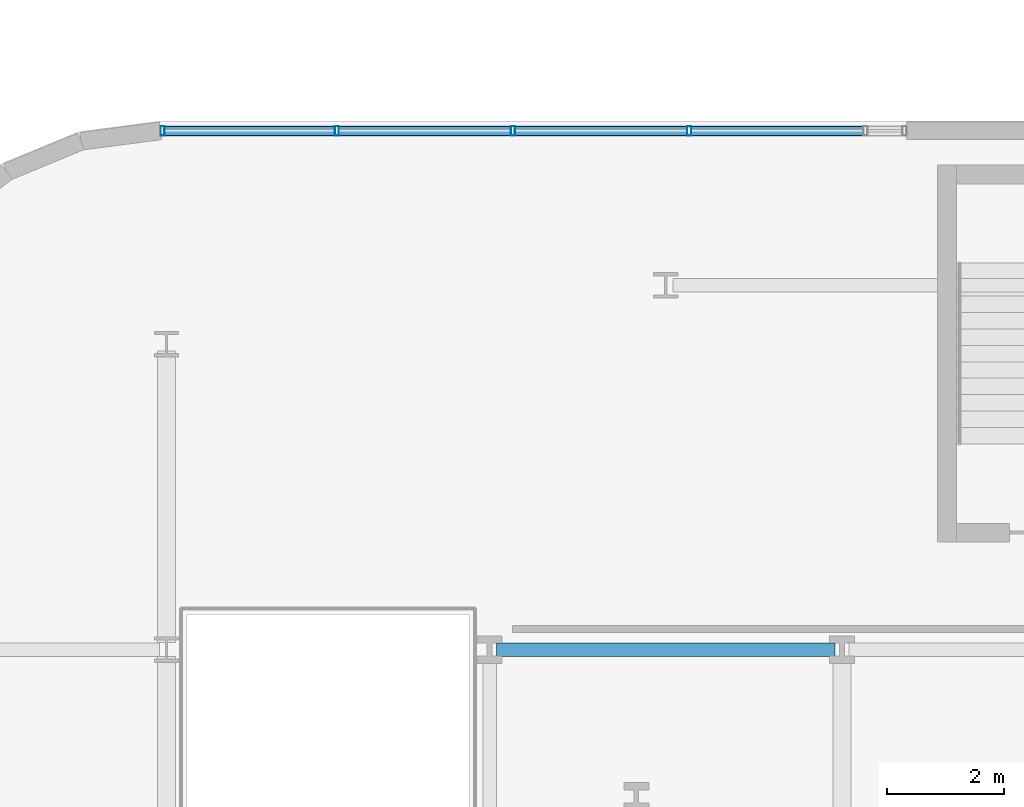
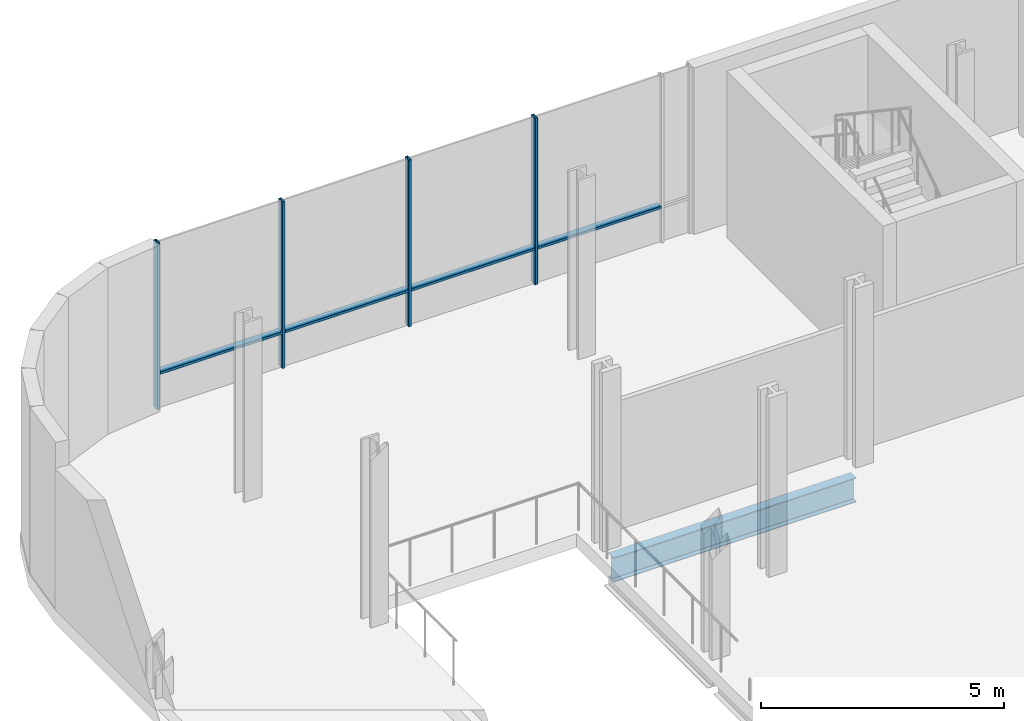
# One storey, part 4 of 28: 8 members, 1 beam, 1 element without a shape of its own.
"""IFC4 building model written with IfcOpenShell, lengths in metres."""

from ifc_helpers import new_model, si_unit, direction, frame, origin, origin_2d, place, context, subcontext, project, spatial, hollow_rectangle, i_section, extrude, material, layer, layer_set, material_profile, profile_set, type_object, element, aggregate, save


model = new_model("IFC4")

# Units and contexts
model_context = context("Model", 3, precision=1e-05, world=origin(), true_north=direction((0.0, 1.0)))
body_context = subcontext(model_context, "Body", "Model", "MODEL_VIEW")
ifc_project = project(units=[si_unit("LENGTHUNIT", "METRE"), si_unit("AREAUNIT", "SQUARE_METRE"), si_unit("VOLUMEUNIT", "CUBIC_METRE"), si_unit("PLANEANGLEUNIT", "RADIAN"), si_unit("MASSUNIT", "GRAM", prefix="KILO")], contexts=[model_context])

# Site, building, storey
site_placement = place(None, origin())
site = spatial("IfcSite", under=ifc_project, at=site_placement, CompositionType="ELEMENT")
building_placement = place(site_placement, origin())
building = spatial("IfcBuilding", under=site, at=building_placement, Name="Brevholm Reach", CompositionType="ELEMENT")
storey_placement = place(building_placement, origin())
storey = spatial("IfcBuildingStorey", under=building, at=storey_placement, Name="L00", CompositionType="ELEMENT", Elevation=0.0)

# Beam
ifc_material_1 = material(Name="Structural Steel S355J2", Category="steel")
ifc_material_profile_1 = material_profile(ifc_material_1, i_section(OverallWidth=0.22900390625, OverallDepth=0.6123046875, WebThickness=0.011962890625, FlangeThickness=0.01953125, FilletRadius=0.0126953125, at=origin_2d()), Name="UKB 610x229x125")
ifc_profile_set_1 = profile_set([ifc_material_profile_1], Name="Structural Steel S355J2")
beam_type = type_object("IfcBeamType", Name="BM-SP610", PredefinedType="SPANDREL", material=ifc_profile_set_1)
beam_placement = place(storey_placement, frame((0.1201171875, 31.0, -0.64599609375), z_axis=(1.0, 0.0, 0.0), x_axis=(0.0, 1.0, 0.0)))
element("IfcBeam", 1, at=beam_placement, inside=storey, type_object=beam_type, Name="L00 SP-01 Framing Beam", PredefinedType="SPANDREL", context=body_context, shape_type="SweptSolid", body=[
    extrude(i_section(OverallWidth=0.22900390625, OverallDepth=0.6123046875, WebThickness=0.011962890625, FlangeThickness=0.01953125, FilletRadius=0.0126953125, at=origin_2d()), origin(), (0.0, 0.0, 1.0), 5.759765625),
])

# Curtain wall, members
ifc_material_2 = material(Name="Dark Anodised Aluminium 6063-T6 and Solar-Control Glass", Category="aluminium")
ifc_layer = layer(ifc_material_2, 0.1650390625)
ifc_layer_set = layer_set([ifc_layer], Name="Dark Anodised Aluminium 6063-T6 and Solar-Control Glass")
curtain_wall_type = type_object("IfcCurtainWallType", Name="CW-03", PredefinedType="NOTDEFINED", material=ifc_layer_set)
curtain_wall_placement = place(storey_placement, origin())
curtain_wall = element("IfcCurtainWall", 2, at=curtain_wall_placement, inside=storey, type_object=curtain_wall_type, Name="L00 Curtain Wall CW-03", PredefinedType="NOTDEFINED")
ifc_material_3 = material(Name="Dark Anodised Aluminium 6063-T6", Category="aluminium")
ifc_material_profile_2 = material_profile(ifc_material_3, hollow_rectangle(XDim=0.070068359375, YDim=0.1650390625, WallThickness=0.0048828125, InnerFilletRadius=0.0048828125, OuterFilletRadius=0.010009765625, at=origin_2d()), Name="RHS 165x70x5")
ifc_profile_set_2 = profile_set([ifc_material_profile_2], Name="Dark Anodised Aluminium 6063-T6")
member_type_1 = type_object("IfcMemberType", Name="CWM-165", PredefinedType="MULLION", material=ifc_profile_set_2)
member_1_placement = place(storey_placement, frame((-5.56494140625, 39.830078125, 0.0), z_axis=(0.0, 0.0, 1.0), x_axis=(1.0, 0.0, 0.0)))
member_1 = element("IfcMember", 3, at=member_1_placement, type_object=member_type_1, Name="CM-165 Mullion 1", PredefinedType="MULLION", context=body_context, shape_type="SweptSolid", body=[
    extrude(hollow_rectangle(XDim=0.070068359375, YDim=0.1650390625, WallThickness=0.0048828125, InnerFilletRadius=0.0048828125, OuterFilletRadius=0.010009765625, at=origin_2d()), origin(), (0.0, 0.0, 1.0), 4.179931640625),
])
member_2_placement = place(storey_placement, frame((-2.60009765625, 39.830078125, 0.0), z_axis=(0.0, 0.0, 1.0), x_axis=(1.0, 0.0, 0.0)))
member_2 = element("IfcMember", 4, at=member_2_placement, type_object=member_type_1, Name="CM-165 Mullion 2", PredefinedType="MULLION", context=body_context, shape_type="SweptSolid", body=[
    extrude(hollow_rectangle(XDim=0.070068359375, YDim=0.1650390625, WallThickness=0.0048828125, InnerFilletRadius=0.0048828125, OuterFilletRadius=0.010009765625, at=origin_2d()), origin(), (0.0, 0.0, 1.0), 4.179931640625),
])
member_3_placement = place(storey_placement, frame((0.39990234375, 39.830078125, 0.0), z_axis=(0.0, 0.0, 1.0), x_axis=(1.0, 0.0, 0.0)))
member_3 = element("IfcMember", 5, at=member_3_placement, type_object=member_type_1, Name="CM-165 Mullion 3", PredefinedType="MULLION", context=body_context, shape_type="SweptSolid", body=[
    extrude(hollow_rectangle(XDim=0.070068359375, YDim=0.1650390625, WallThickness=0.0048828125, InnerFilletRadius=0.0048828125, OuterFilletRadius=0.010009765625, at=origin_2d()), origin(), (0.0, 0.0, 1.0), 4.179931640625),
])
member_4_placement = place(storey_placement, frame((3.39990234375, 39.830078125, 0.0), z_axis=(0.0, 0.0, 1.0), x_axis=(1.0, 0.0, 0.0)))
member_4 = element("IfcMember", 6, at=member_4_placement, type_object=member_type_1, Name="CM-165 Mullion 4", PredefinedType="MULLION", context=body_context, shape_type="SweptSolid", body=[
    extrude(hollow_rectangle(XDim=0.070068359375, YDim=0.1650390625, WallThickness=0.0048828125, InnerFilletRadius=0.0048828125, OuterFilletRadius=0.010009765625, at=origin_2d()), origin(), (0.0, 0.0, 1.0), 4.179931640625),
])
ifc_material_4 = material(Name="Dark Anodised Aluminium 6063-T6", Category="aluminium")
ifc_material_profile_3 = material_profile(ifc_material_4, hollow_rectangle(XDim=0.070068359375, YDim=0.1650390625, WallThickness=0.0048828125, InnerFilletRadius=0.0048828125, OuterFilletRadius=0.010009765625, at=origin_2d()), Name="RHS 165x70x5")
ifc_profile_set_3 = profile_set([ifc_material_profile_3], Name="Dark Anodised Aluminium 6063-T6")
member_type_2 = type_object("IfcMemberType", Name="CWT-165", PredefinedType="NOTDEFINED", material=ifc_profile_set_3)
member_5_placement = place(storey_placement, frame((-5.530029296875, 39.830078125, 0.89990234375), z_axis=(1.0, 0.0, 0.0), x_axis=(0.0, 0.0, 1.0)))
member_5 = element("IfcMember", 7, at=member_5_placement, type_object=member_type_2, Name="CT-165 Transom 1.1", ObjectType="TRANSOM", PredefinedType="USERDEFINED", context=body_context, shape_type="SweptSolid", body=[
    extrude(hollow_rectangle(XDim=0.070068359375, YDim=0.1650390625, WallThickness=0.0048828125, InnerFilletRadius=0.0048828125, OuterFilletRadius=0.010009765625, at=origin_2d()), origin(), (0.0, 0.0, 1.0), 2.89501953125),
])
member_6_placement = place(storey_placement, frame((-2.56494140625, 39.830078125, 0.89990234375), z_axis=(1.0, 0.0, 0.0), x_axis=(0.0, 0.0, 1.0)))
member_6 = element("IfcMember", 8, at=member_6_placement, type_object=member_type_2, Name="CT-165 Transom 2.1", ObjectType="TRANSOM", PredefinedType="USERDEFINED", context=body_context, shape_type="SweptSolid", body=[
    extrude(hollow_rectangle(XDim=0.070068359375, YDim=0.1650390625, WallThickness=0.0048828125, InnerFilletRadius=0.0048828125, OuterFilletRadius=0.010009765625, at=origin_2d()), origin(), (0.0, 0.0, 1.0), 2.929931640625),
])
member_7_placement = place(storey_placement, frame((0.43505859375, 39.830078125, 0.89990234375), z_axis=(1.0, 0.0, 0.0), x_axis=(0.0, 0.0, 1.0)))
member_7 = element("IfcMember", 9, at=member_7_placement, type_object=member_type_2, Name="CT-165 Transom 3.1", ObjectType="TRANSOM", PredefinedType="USERDEFINED", context=body_context, shape_type="SweptSolid", body=[
    extrude(hollow_rectangle(XDim=0.070068359375, YDim=0.1650390625, WallThickness=0.0048828125, InnerFilletRadius=0.0048828125, OuterFilletRadius=0.010009765625, at=origin_2d()), origin(), (0.0, 0.0, 1.0), 2.929931640625),
])
member_8_placement = place(storey_placement, frame((3.43505859375, 39.830078125, 0.89990234375), z_axis=(1.0, 0.0, 0.0), x_axis=(0.0, 0.0, 1.0)))
member_8 = element("IfcMember", 10, at=member_8_placement, type_object=member_type_2, Name="CT-165 Transom 4.1", ObjectType="TRANSOM", PredefinedType="USERDEFINED", context=body_context, shape_type="SweptSolid", body=[
    extrude(hollow_rectangle(XDim=0.070068359375, YDim=0.1650390625, WallThickness=0.0048828125, InnerFilletRadius=0.0048828125, OuterFilletRadius=0.010009765625, at=origin_2d()), origin(), (0.0, 0.0, 1.0), 2.929931640625),
])
aggregate(curtain_wall, [member_1, member_2, member_3, member_4, member_5, member_6, member_7, member_8])

save(model, "model.ifc")
